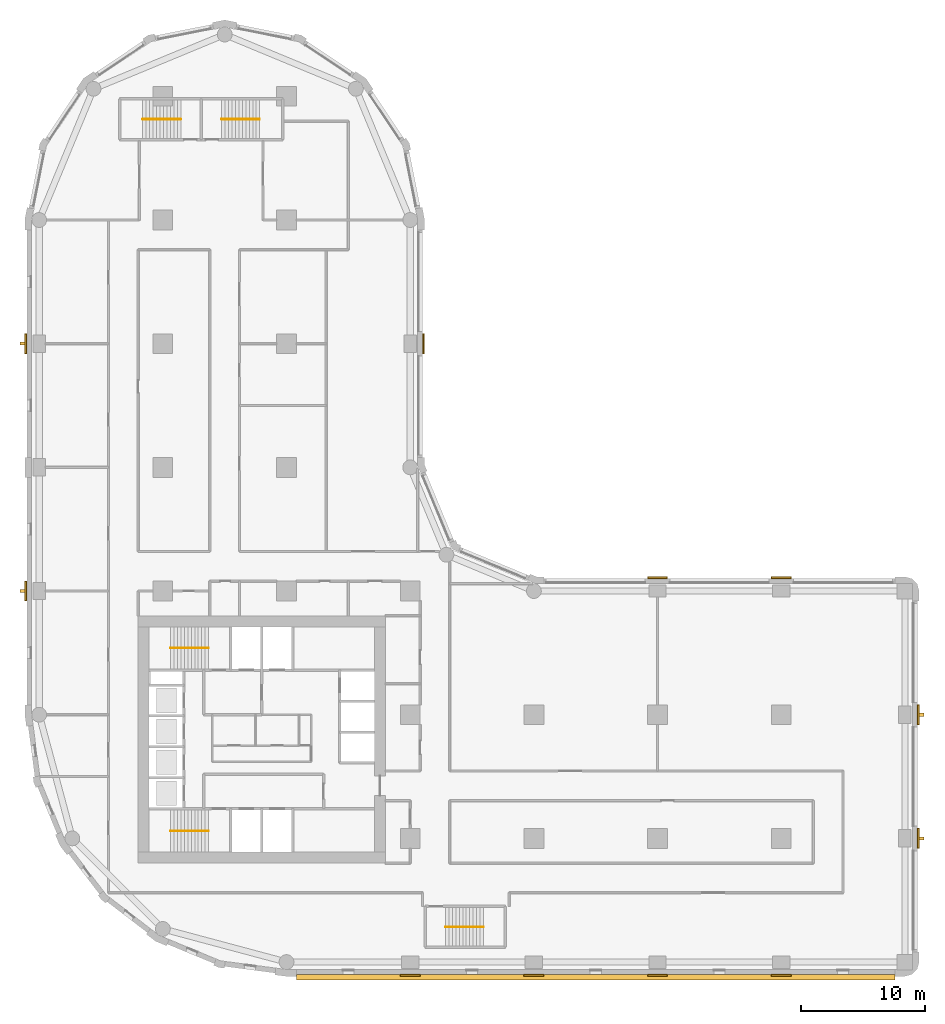
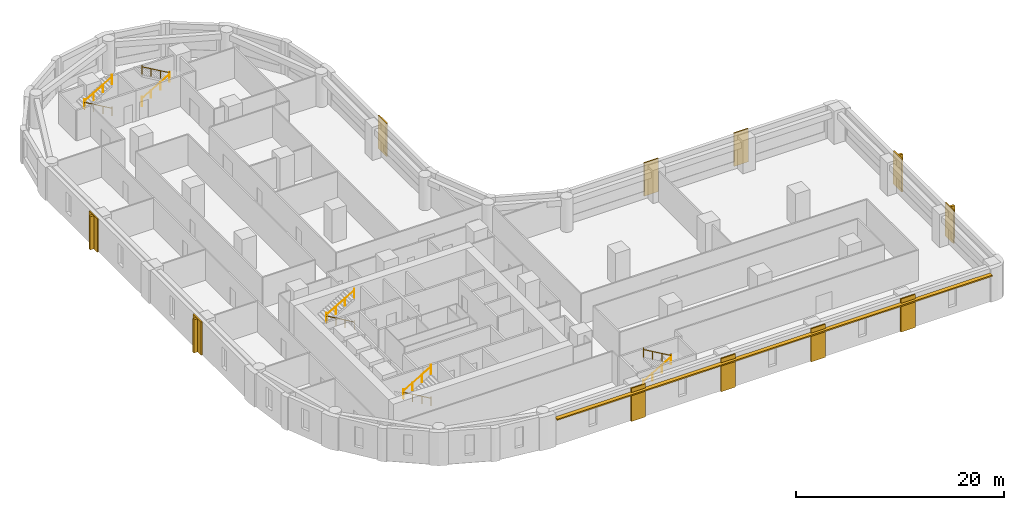
# One storey, part 9 of 10: 11 coverings, 10 railings, 5 shading devices.
"""IFC4 building model written with IfcOpenShell, lengths in metres."""

from ifc_helpers import new_model, si_unit, direction, frame, origin, origin_2d, place, context, subcontext, project, spatial, polyline, rectangle, circle, outline, extrude, material, layer, layer_set, type_object, element, save


model = new_model("IFC4")

# Units and contexts
model_context = context("Model", 3, precision=1e-05, world=origin(), true_north=direction((0.0, 1.0)))
body_context = subcontext(model_context, "Body", "Model", "MODEL_VIEW")
ifc_project = project(units=[si_unit("LENGTHUNIT", "METRE"), si_unit("AREAUNIT", "SQUARE_METRE"), si_unit("VOLUMEUNIT", "CUBIC_METRE"), si_unit("PLANEANGLEUNIT", "RADIAN"), si_unit("MASSUNIT", "GRAM", prefix="KILO")], contexts=[model_context])

# Site, building, storey
site_placement = place(None, origin())
site = spatial("IfcSite", under=ifc_project, at=site_placement, CompositionType="ELEMENT")
building_placement = place(site_placement, origin())
building = spatial("IfcBuilding", under=site, at=building_placement, Name="Qaws Garden Tower", CompositionType="ELEMENT")
storey_placement = place(building_placement, frame((0.0, 0.0, 58.800048828125)))
storey = spatial("IfcBuildingStorey", under=building, at=storey_placement, Name="L14", CompositionType="ELEMENT", Elevation=58.800048828125)

# Coverings
ifc_material_1 = material(Name="Clay facing brick masonry", Category="masonry")
ifc_layer_1 = layer(ifc_material_1, 0.14990234375)
ifc_layer_set_1 = layer_set([ifc_layer_1], Name="Clay facing brick masonry")
covering_type = type_object("IfcCoveringType", Name="Brick pilaster facing 150 x 1600", PredefinedType="CLADDING", material=ifc_layer_set_1)
placement = place(storey_placement, origin())
element("IfcCovering", 1, at=placement, inside=storey, type_object=covering_type, Name="E-L14-pier-01", PredefinedType="CLADDING", context=body_context, shape_type="SweptSolid", body=[
    extrude(outline(polyline([(29.199951171875, -1.0), (30.800048828125, -1.0), (30.800048828125, -1.14990234375), (29.199951171875, -1.14990234375), (29.199951171875, -1.0)])), origin(), (0.0, 0.0, 1.0), 3.89990234375),
])
element("IfcCovering", 2, at=placement, inside=storey, type_object=covering_type, Name="E-L14-pier-02", PredefinedType="CLADDING", context=body_context, shape_type="SweptSolid", body=[
    extrude(outline(polyline([(39.199951171875, -1.0), (40.800048828125, -1.0), (40.800048828125, -1.14990234375), (39.199951171875, -1.14990234375), (39.199951171875, -1.0)])), origin(), (0.0, 0.0, 1.0), 3.89990234375),
])
element("IfcCovering", 3, at=placement, inside=storey, type_object=covering_type, Name="E-L14-pier-03", PredefinedType="CLADDING", context=body_context, shape_type="SweptSolid", body=[
    extrude(outline(polyline([(49.199951171875, -1.0), (50.800048828125, -1.0), (50.800048828125, -1.14990234375), (49.199951171875, -1.14990234375), (49.199951171875, -1.0)])), origin(), (0.0, 0.0, 1.0), 3.89990234375),
])
element("IfcCovering", 4, at=placement, inside=storey, type_object=covering_type, Name="E-L14-pier-04", PredefinedType="CLADDING", context=body_context, shape_type="SweptSolid", body=[
    extrude(outline(polyline([(59.199951171875, -1.0), (60.800048828125, -1.0), (60.800048828125, -1.14990234375), (59.199951171875, -1.14990234375), (59.199951171875, -1.0)])), origin(), (0.0, 0.0, 1.0), 3.89990234375),
])
element("IfcCovering", 5, at=placement, inside=storey, type_object=covering_type, Name="E-L14-pier-06", PredefinedType="CLADDING", context=body_context, shape_type="SweptSolid", body=[
    extrude(outline(polyline([(71.0, 9.199951171875), (71.0, 10.800048828125), (71.14990234375, 10.800048828125), (71.14990234375, 9.199951171875), (71.0, 9.199951171875)])), origin(), (0.0, 0.0, 1.0), 3.89990234375),
])
element("IfcCovering", 6, at=placement, inside=storey, type_object=covering_type, Name="E-L14-pier-07", PredefinedType="CLADDING", context=body_context, shape_type="SweptSolid", body=[
    extrude(outline(polyline([(71.0, 19.199951171875), (71.0, 20.800048828125), (71.14990234375, 20.800048828125), (71.14990234375, 19.199951171875), (71.0, 19.199951171875)])), origin(), (0.0, 0.0, 1.0), 3.89990234375),
])
element("IfcCovering", 7, at=placement, inside=storey, type_object=covering_type, Name="E-L14-pier-09", PredefinedType="CLADDING", context=body_context, shape_type="SweptSolid", body=[
    extrude(outline(polyline([(60.800048828125, 31.0), (59.199951171875, 31.0), (59.199951171875, 31.14990234375), (60.800048828125, 31.14990234375), (60.800048828125, 31.0)])), origin(), (0.0, 0.0, 1.0), 3.89990234375),
])
element("IfcCovering", 8, at=placement, inside=storey, type_object=covering_type, Name="E-L14-pier-10", PredefinedType="CLADDING", context=body_context, shape_type="SweptSolid", body=[
    extrude(outline(polyline([(50.800048828125, 31.0), (49.199951171875, 31.0), (49.199951171875, 31.14990234375), (50.800048828125, 31.14990234375), (50.800048828125, 31.0)])), origin(), (0.0, 0.0, 1.0), 3.89990234375),
])
element("IfcCovering", 9, at=placement, inside=storey, type_object=covering_type, Name="E-L14-pier-14", PredefinedType="CLADDING", context=body_context, shape_type="SweptSolid", body=[
    extrude(outline(polyline([(31.0, 49.199951171875), (31.0, 50.800048828125), (31.14990234375, 50.800048828125), (31.14990234375, 49.199951171875), (31.0, 49.199951171875)])), origin(), (0.0, 0.0, 1.0), 3.89990234375),
])
element("IfcCovering", 10, at=placement, inside=storey, type_object=covering_type, Name="E-L14-pier-24", PredefinedType="CLADDING", context=body_context, shape_type="SweptSolid", body=[
    extrude(outline(polyline([(-1.0, 50.800048828125), (-1.0, 49.199951171875), (-1.14990234375, 49.199951171875), (-1.14990234375, 50.800048828125), (-1.0, 50.800048828125)])), origin(), (0.0, 0.0, 1.0), 3.89990234375),
])
element("IfcCovering", 11, at=placement, inside=storey, type_object=covering_type, Name="E-L14-pier-26", PredefinedType="CLADDING", context=body_context, shape_type="SweptSolid", body=[
    extrude(outline(polyline([(-1.0, 30.800048828125), (-1.0, 29.199951171875), (-1.14990234375, 29.199951171875), (-1.14990234375, 30.800048828125), (-1.0, 30.800048828125)])), origin(), (0.0, 0.0, 1.0), 3.89990234375),
])

# Shading devices
ifc_material_2 = material(Name="Clay facing brick masonry", Category="masonry")
ifc_layer_2 = layer(ifc_material_2, 0.14990234375)
ifc_layer_set_2 = layer_set([ifc_layer_2], Name="Clay facing brick masonry")
shading_device_type_1 = type_object("IfcShadingDeviceType", Name="Brick sunshade band 450 x 150", PredefinedType="JALOUSIE", material=ifc_layer_set_2)
shading_device_placement = place(storey_placement, frame((0.0, 0.0, 3.25)))
element("IfcShadingDevice", 12, at=shading_device_placement, inside=storey, type_object=shading_device_type_1, Name="SUNSHADE 00", PredefinedType="JALOUSIE", context=body_context, shape_type="SweptSolid", body=[
    extrude(outline(polyline([(20.800048828125, -1.0), (20.800048828125, -1.449951171875), (69.199951171875, -1.449951171875), (69.199951171875, -1.0), (60.800048828125, -1.0), (60.800048828125, -1.14990234375), (59.199951171875, -1.14990234375), (59.199951171875, -1.0), (50.800048828125, -1.0), (50.800048828125, -1.14990234375), (49.199951171875, -1.14990234375), (49.199951171875, -1.0), (40.800048828125, -1.0), (40.800048828125, -1.14990234375), (39.199951171875, -1.14990234375), (39.199951171875, -1.0), (30.800048828125, -1.0), (30.800048828125, -1.14990234375), (29.199951171875, -1.14990234375), (29.199951171875, -1.0), (20.800048828125, -1.0)])), origin(), (0.0, 0.0, 1.0), 0.14990234375),
])
ifc_material_3 = material(Name="Clay facing brick masonry", Category="masonry")
ifc_layer_3 = layer(ifc_material_3, 0.25)
ifc_layer_set_3 = layer_set([ifc_layer_3], Name="Clay facing brick masonry")
shading_device_type_2 = type_object("IfcShadingDeviceType", Name="Brick-faced fin 250 x 400", PredefinedType="USERDEFINED", material=ifc_layer_set_3)
for number, where, z_axis, x_axis, name in (
    (13, (71.35009765625, 10.0, 0.0), (0.0, 0.0, 1.0), (0.0, 1.0, 0.0), "FIN 06"),
    (14, (71.35009765625, 20.0, 0.0), (0.0, 0.0, 1.0), (0.0, 1.0, 0.0), "FIN 07"),
    (15, (-1.35009765625, 50.0, 0.0), (0.0, 0.0, 1.0), (0.0, -1.0, 0.0), "FIN 24"),
    (16, (-1.35009765625, 30.0, 0.0), (0.0, 0.0, 1.0), (0.0, -1.0, 0.0), "FIN 26"),
):
    element("IfcShadingDevice", number, at=place(storey_placement, frame(where, z_axis=z_axis, x_axis=x_axis)), inside=storey, type_object=shading_device_type_2, Name=name, ObjectType="FIN", PredefinedType="USERDEFINED", context=body_context, shape_type="SweptSolid", body=[
        extrude(rectangle(XDim=0.25, YDim=0.39990234375, at=origin_2d()), origin(), (0.0, 0.0, 1.0), 3.89990234375),
    ])

# Railings
ifc_material_4 = material(Name="Steel S355", Category="steel")
railing_type = type_object("IfcRailingType", Name="Stair handrail 900", PredefinedType="HANDRAIL", material=ifc_material_4)
railing_1_placement = place(storey_placement, frame((13.699951171875, 10.60009765625, 0.162353515625)))
element("IfcRailing", 17, at=railing_1_placement, inside=storey, type_object=railing_type, Name="Stair 1 handrail", PredefinedType="HANDRAIL", context=body_context, shape_type="SweptSolid", body=[
    extrude(circle(Radius=0.02392578125, at=origin_2d()), frame((0.0, 0.0, 0.8759765625), z_axis=(-0.864873446163, 0.0, 0.501989962173), x_axis=(0.0, -1.0, 0.0)), (0.0, 0.0, 1.0), 3.56103515625),
    extrude(circle(Radius=0.02099609375, at=origin_2d()), origin(), (0.0, 0.0, 1.0), 1.06201171875),
    extrude(circle(Radius=0.02099609375, at=origin_2d()), frame((-1.026611328125, 0.0, 0.595947265625)), (0.0, 0.0, 1.0), 0.851806640625),
    extrude(circle(Radius=0.02099609375, at=origin_2d()), frame((-2.05322265625, 0.0, 1.191650390625)), (0.0, 0.0, 1.0), 0.851806640625),
    extrude(circle(Radius=0.02099609375, at=origin_2d()), frame((-3.079833984375, 0.0, 1.78759765625)), (0.0, 0.0, 1.0), 1.06201171875),
])
railing_2_placement = place(storey_placement, frame((10.6201171875, 10.60009765625, 2.112548828125)))
element("IfcRailing", 18, at=railing_2_placement, inside=storey, type_object=railing_type, Name="Stair 1 handrail", PredefinedType="HANDRAIL", context=body_context, shape_type="SweptSolid", body=[
    extrude(circle(Radius=0.02392578125, at=origin_2d()), frame((0.0, 0.0, 0.8759765625), z_axis=(0.864903211148, 0.0, 0.501938676878), x_axis=(0.0, 1.0, 0.0)), (0.0, 0.0, 1.0), 3.560791015625),
    extrude(circle(Radius=0.02099609375, at=origin_2d()), origin(), (0.0, 0.0, 1.0), 1.06201171875),
    extrude(circle(Radius=0.02099609375, at=origin_2d()), frame((1.026611328125, 0.0, 0.595703125)), (0.0, 0.0, 1.0), 0.851806640625),
    extrude(circle(Radius=0.02099609375, at=origin_2d()), frame((2.05322265625, 0.0, 1.191650390625)), (0.0, 0.0, 1.0), 0.851806640625),
    extrude(circle(Radius=0.02099609375, at=origin_2d()), frame((3.079833984375, 0.0, 1.787353515625)), (0.0, 0.0, 1.0), 1.06201171875),
])
railing_3_placement = place(storey_placement, frame((13.699951171875, 25.39990234375, 0.162353515625)))
element("IfcRailing", 19, at=railing_3_placement, inside=storey, type_object=railing_type, Name="Stair 4 handrail", PredefinedType="HANDRAIL", context=body_context, shape_type="SweptSolid", body=[
    extrude(circle(Radius=0.02392578125, at=origin_2d()), frame((0.0, 0.0, 0.8759765625), z_axis=(-0.864873446163, 0.0, 0.501989962173), x_axis=(0.0, -1.0, 0.0)), (0.0, 0.0, 1.0), 3.56103515625),
    extrude(circle(Radius=0.02099609375, at=origin_2d()), origin(), (0.0, 0.0, 1.0), 1.06201171875),
    extrude(circle(Radius=0.02099609375, at=origin_2d()), frame((-1.026611328125, 0.0, 0.595947265625)), (0.0, 0.0, 1.0), 0.851806640625),
    extrude(circle(Radius=0.02099609375, at=origin_2d()), frame((-2.05322265625, 0.0, 1.191650390625)), (0.0, 0.0, 1.0), 0.851806640625),
    extrude(circle(Radius=0.02099609375, at=origin_2d()), frame((-3.079833984375, 0.0, 1.78759765625)), (0.0, 0.0, 1.0), 1.06201171875),
])
railing_4_placement = place(storey_placement, frame((10.6201171875, 25.39990234375, 2.112548828125)))
element("IfcRailing", 20, at=railing_4_placement, inside=storey, type_object=railing_type, Name="Stair 4 handrail", PredefinedType="HANDRAIL", context=body_context, shape_type="SweptSolid", body=[
    extrude(circle(Radius=0.02392578125, at=origin_2d()), frame((0.0, 0.0, 0.8759765625), z_axis=(0.864903211148, 0.0, 0.501938676878), x_axis=(0.0, 1.0, 0.0)), (0.0, 0.0, 1.0), 3.560791015625),
    extrude(circle(Radius=0.02099609375, at=origin_2d()), origin(), (0.0, 0.0, 1.0), 1.06201171875),
    extrude(circle(Radius=0.02099609375, at=origin_2d()), frame((1.026611328125, 0.0, 0.595703125)), (0.0, 0.0, 1.0), 0.851806640625),
    extrude(circle(Radius=0.02099609375, at=origin_2d()), frame((2.05322265625, 0.0, 1.191650390625)), (0.0, 0.0, 1.0), 0.851806640625),
    extrude(circle(Radius=0.02099609375, at=origin_2d()), frame((3.079833984375, 0.0, 1.787353515625)), (0.0, 0.0, 1.0), 1.06201171875),
])
railing_5_placement = place(storey_placement, frame((32.85009765625, 2.85009765625, 0.162353515625)))
element("IfcRailing", 21, at=railing_5_placement, inside=storey, type_object=railing_type, Name="Stair 5 handrail", PredefinedType="HANDRAIL", context=body_context, shape_type="SweptSolid", body=[
    extrude(circle(Radius=0.02392578125, at=origin_2d()), frame((0.0, 0.0, 0.8759765625), z_axis=(0.864873446163, 0.0, 0.501989962173), x_axis=(0.0, 1.0, 0.0)), (0.0, 0.0, 1.0), 3.56103515625),
    extrude(circle(Radius=0.02099609375, at=origin_2d()), origin(), (0.0, 0.0, 1.0), 1.06201171875),
    extrude(circle(Radius=0.02099609375, at=origin_2d()), frame((1.026611328125, 0.0, 0.595947265625)), (0.0, 0.0, 1.0), 0.851806640625),
    extrude(circle(Radius=0.02099609375, at=origin_2d()), frame((2.05322265625, 0.0, 1.191650390625)), (0.0, 0.0, 1.0), 0.851806640625),
    extrude(circle(Radius=0.02099609375, at=origin_2d()), frame((3.079833984375, 0.0, 1.78759765625)), (0.0, 0.0, 1.0), 1.06201171875),
])
railing_6_placement = place(storey_placement, frame((35.929931640625, 2.85009765625, 2.112548828125)))
element("IfcRailing", 22, at=railing_6_placement, inside=storey, type_object=railing_type, Name="Stair 5 handrail", PredefinedType="HANDRAIL", context=body_context, shape_type="SweptSolid", body=[
    extrude(circle(Radius=0.02392578125, at=origin_2d()), frame((0.0, 0.0, 0.8759765625), z_axis=(-0.864903211148, 0.0, 0.501938676878), x_axis=(0.0, -1.0, 0.0)), (0.0, 0.0, 1.0), 3.560791015625),
    extrude(circle(Radius=0.02099609375, at=origin_2d()), origin(), (0.0, 0.0, 1.0), 1.06201171875),
    extrude(circle(Radius=0.02099609375, at=origin_2d()), frame((-1.026611328125, 0.0, 0.595703125)), (0.0, 0.0, 1.0), 0.851806640625),
    extrude(circle(Radius=0.02099609375, at=origin_2d()), frame((-2.05322265625, 0.0, 1.191650390625)), (0.0, 0.0, 1.0), 0.851806640625),
    extrude(circle(Radius=0.02099609375, at=origin_2d()), frame((-3.079833984375, 0.0, 1.787353515625)), (0.0, 0.0, 1.0), 1.06201171875),
])
railing_7_placement = place(storey_placement, frame((11.449951171875, 68.14990234375, 0.162353515625)))
element("IfcRailing", 23, at=railing_7_placement, inside=storey, type_object=railing_type, Name="Stair 6 handrail", PredefinedType="HANDRAIL", context=body_context, shape_type="SweptSolid", body=[
    extrude(circle(Radius=0.02392578125, at=origin_2d()), frame((0.0, 0.0, 0.8759765625), z_axis=(-0.864873446163, 0.0, 0.501989962173), x_axis=(0.0, -1.0, 0.0)), (0.0, 0.0, 1.0), 3.56103515625),
    extrude(circle(Radius=0.02099609375, at=origin_2d()), origin(), (0.0, 0.0, 1.0), 1.06201171875),
    extrude(circle(Radius=0.02099609375, at=origin_2d()), frame((-1.026611328125, 0.0, 0.595947265625)), (0.0, 0.0, 1.0), 0.851806640625),
    extrude(circle(Radius=0.02099609375, at=origin_2d()), frame((-2.05322265625, 0.0, 1.191650390625)), (0.0, 0.0, 1.0), 0.851806640625),
    extrude(circle(Radius=0.02099609375, at=origin_2d()), frame((-3.079833984375, 0.0, 1.78759765625)), (0.0, 0.0, 1.0), 1.06201171875),
])
railing_8_placement = place(storey_placement, frame((8.3701171875, 68.14990234375, 2.112548828125)))
element("IfcRailing", 24, at=railing_8_placement, inside=storey, type_object=railing_type, Name="Stair 6 handrail", PredefinedType="HANDRAIL", context=body_context, shape_type="SweptSolid", body=[
    extrude(circle(Radius=0.02392578125, at=origin_2d()), frame((0.0, 0.0, 0.8759765625), z_axis=(0.864903211148, 0.0, 0.501938676878), x_axis=(0.0, 1.0, 0.0)), (0.0, 0.0, 1.0), 3.560791015625),
    extrude(circle(Radius=0.02099609375, at=origin_2d()), origin(), (0.0, 0.0, 1.0), 1.06201171875),
    extrude(circle(Radius=0.02099609375, at=origin_2d()), frame((1.026611328125, 0.0, 0.595703125)), (0.0, 0.0, 1.0), 0.851806640625),
    extrude(circle(Radius=0.02099609375, at=origin_2d()), frame((2.05322265625, 0.0, 1.191650390625)), (0.0, 0.0, 1.0), 0.851806640625),
    extrude(circle(Radius=0.02099609375, at=origin_2d()), frame((3.079833984375, 0.0, 1.787353515625)), (0.0, 0.0, 1.0), 1.06201171875),
])
railing_9_placement = place(storey_placement, frame((14.75, 68.14990234375, 0.162353515625)))
element("IfcRailing", 25, at=railing_9_placement, inside=storey, type_object=railing_type, Name="Stair 7 handrail", PredefinedType="HANDRAIL", context=body_context, shape_type="SweptSolid", body=[
    extrude(circle(Radius=0.02392578125, at=origin_2d()), frame((0.0, 0.0, 0.8759765625), z_axis=(0.864890721111, 0.0, 0.501960198159), x_axis=(0.0, 1.0, 0.0)), (0.0, 0.0, 1.0), 3.561279296875),
    extrude(circle(Radius=0.02099609375, at=origin_2d()), origin(), (0.0, 0.0, 1.0), 1.06201171875),
    extrude(circle(Radius=0.02099609375, at=origin_2d()), frame((1.026611328125, 0.0, 0.595947265625)), (0.0, 0.0, 1.0), 0.851806640625),
    extrude(circle(Radius=0.02099609375, at=origin_2d()), frame((2.053466796875, 0.0, 1.191650390625)), (0.0, 0.0, 1.0), 0.851806640625),
    extrude(circle(Radius=0.02099609375, at=origin_2d()), frame((3.080078125, 0.0, 1.78759765625)), (0.0, 0.0, 1.0), 1.06201171875),
])
railing_10_placement = place(storey_placement, frame((17.830078125, 68.14990234375, 2.112548828125)))
element("IfcRailing", 26, at=railing_10_placement, inside=storey, type_object=railing_type, Name="Stair 7 handrail", PredefinedType="HANDRAIL", context=body_context, shape_type="SweptSolid", body=[
    extrude(circle(Radius=0.02392578125, at=origin_2d()), frame((0.0, 0.0, 0.8759765625), z_axis=(-0.864920483161, 0.0, 0.501908913857), x_axis=(0.0, -1.0, 0.0)), (0.0, 0.0, 1.0), 3.56103515625),
    extrude(circle(Radius=0.02099609375, at=origin_2d()), origin(), (0.0, 0.0, 1.0), 1.06201171875),
    extrude(circle(Radius=0.02099609375, at=origin_2d()), frame((-1.026611328125, 0.0, 0.595703125)), (0.0, 0.0, 1.0), 0.851806640625),
    extrude(circle(Radius=0.02099609375, at=origin_2d()), frame((-2.053466796875, 0.0, 1.191650390625)), (0.0, 0.0, 1.0), 0.851806640625),
    extrude(circle(Radius=0.02099609375, at=origin_2d()), frame((-3.080078125, 0.0, 1.787353515625)), (0.0, 0.0, 1.0), 1.06201171875),
])

save(model, "model.ifc")
